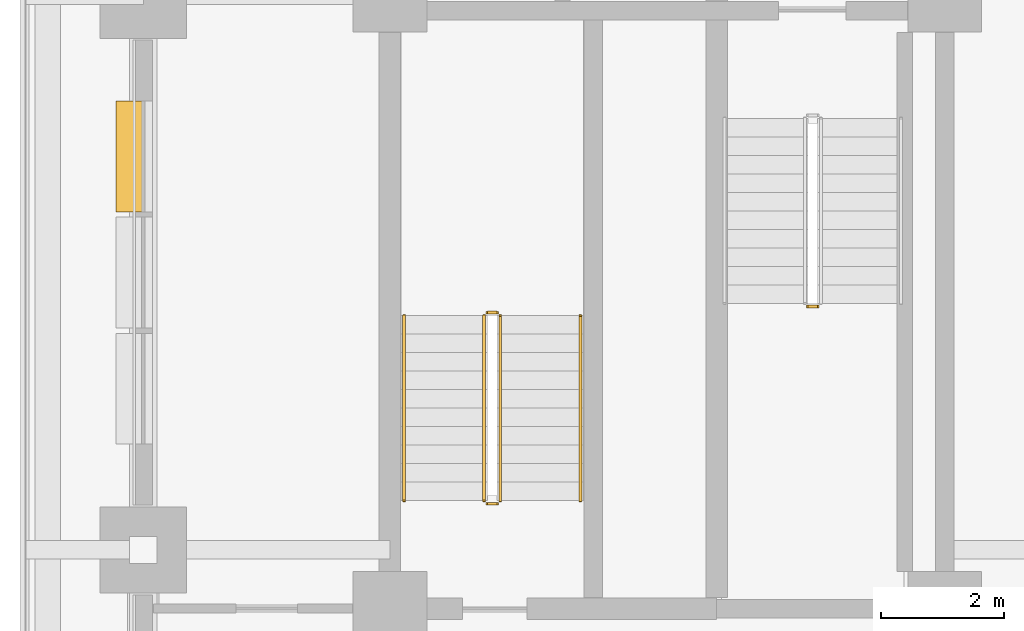
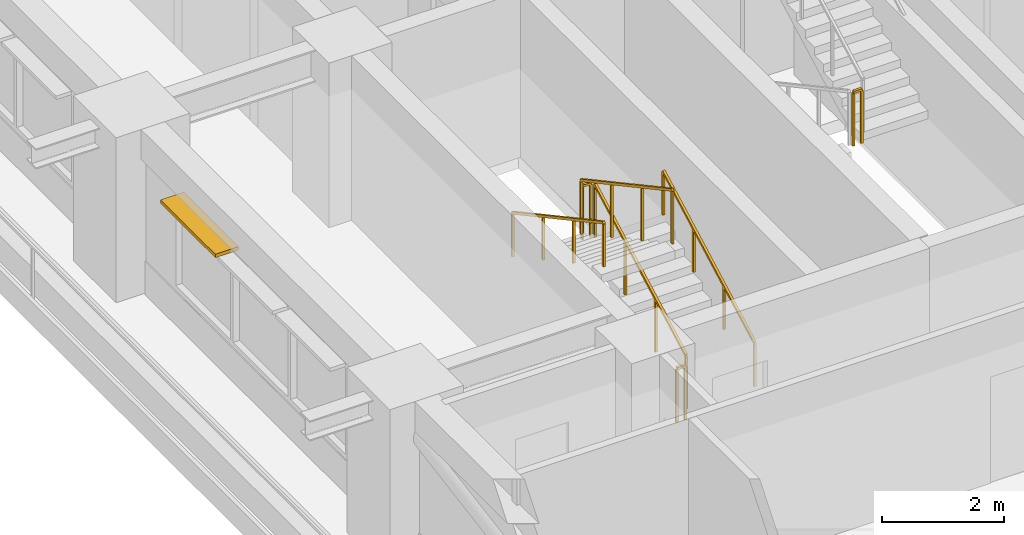
# One storey, part 8 of 14: 7 railings, 1 shading device.
"""IFC4 building model written with IfcOpenShell, lengths in metres."""

from ifc_helpers import new_model, si_unit, direction, frame, frame_2d, origin, origin_2d, place, context, subcontext, project, spatial, rectangle, extrude, material, layer, layer_set, type_object, element, save


model = new_model("IFC4")

# Units and contexts
model_context = context("Model", 3, precision=1e-05, world=origin(), true_north=direction((0.0, 1.0)))
body_context = subcontext(model_context, "Body", "Model", "MODEL_VIEW")
ifc_project = project(units=[si_unit("LENGTHUNIT", "METRE"), si_unit("AREAUNIT", "SQUARE_METRE"), si_unit("VOLUMEUNIT", "CUBIC_METRE"), si_unit("PLANEANGLEUNIT", "RADIAN"), si_unit("MASSUNIT", "GRAM", prefix="KILO")], contexts=[model_context])

# Site, building, storey
site_placement = place(None, origin())
site = spatial("IfcSite", under=ifc_project, at=site_placement, CompositionType="ELEMENT")
building_placement = place(site_placement, origin())
building = spatial("IfcBuilding", under=site, at=building_placement, Name="Zulmaris Gate Convention Tower", CompositionType="ELEMENT")
storey_placement = place(building_placement, frame((0.0, 0.0, 45.050048828125)))
storey = spatial("IfcBuildingStorey", under=building, at=storey_placement, Name="L10", CompositionType="ELEMENT", Elevation=45.050048828125)

# Railings
ifc_material_1 = material(Name="Painted Galvanised Steel", Category="steel")
railing_type_1 = type_object("IfcRailingType", Name="RL-STG-1150", PredefinedType="GUARDRAIL", material=ifc_material_1)
railing_1_placement = place(storey_placement, frame((-13.219970703125, -5.050048828125, 1.784912109375)))
element("IfcRailing", 1, at=railing_1_placement, inside=storey, type_object=railing_type_1, Name="L10 ST-1 stair guard 2", PredefinedType="GUARDRAIL", context=body_context, shape_type="SweptSolid", body=[
    extrude(rectangle(XDim=0.048095703125, YDim=0.048095703125, at=origin_2d()), frame((0.0, 0.0, 1.076171875), z_axis=(1.0, 0.0, 0.0), x_axis=(0.0, 1.0, 0.0)), (0.0, 0.0, 1.0), 0.159912109375),
    extrude(rectangle(XDim=0.0419921875, YDim=0.0419921875, at=origin_2d()), origin(), (0.0, 0.0, 1.0), 1.052001953125),
    extrude(rectangle(XDim=0.0419921875, YDim=0.0419921875, at=origin_2d()), frame((0.159912109375, 0.0, 0.0)), (0.0, 0.0, 1.0), 1.052001953125),
])
railing_2_placement = place(storey_placement, frame((-18.2099609375, -8.199951171875, 0.162109375)))
element("IfcRailing", 2, at=railing_2_placement, inside=storey, type_object=railing_type_1, Name="L10 ST-3 stair guard 1", PredefinedType="GUARDRAIL", context=body_context, shape_type="SweptSolid", body=[
    extrude(rectangle(XDim=0.048095703125, YDim=0.048095703125, at=origin_2d()), frame((0.0, 0.0, 1.076171875), z_axis=(0.0, 0.8795616155, 0.475784998228), x_axis=(-1.0, 0.0, 0.0)), (0.0, 0.0, 1.0), 3.410888671875),
    extrude(rectangle(XDim=0.0419921875, YDim=0.0419921875, at=origin_2d()), origin(), (0.0, 0.0, 1.0), 1.052001953125),
    extrude(rectangle(XDim=0.0419921875, YDim=0.0419921875, at=origin_2d()), frame((0.0, 1.0, 0.541015625)), (0.0, 0.0, 1.0), 1.052001953125),
    extrude(rectangle(XDim=0.0419921875, YDim=0.0419921875, at=origin_2d()), frame((0.0, 2.0, 1.081787109375)), (0.0, 0.0, 1.0), 1.052001953125),
    extrude(rectangle(XDim=0.0419921875, YDim=0.0419921875, at=origin_2d()), frame((0.0, 3.0, 1.622802734375)), (0.0, 0.0, 1.0), 1.052001953125),
])
railing_3_placement = place(storey_placement, frame((-18.260009765625, -5.14990234375, 1.784912109375)))
element("IfcRailing", 3, at=railing_3_placement, inside=storey, type_object=railing_type_1, Name="L10 ST-3 stair guard 2", PredefinedType="GUARDRAIL", context=body_context, shape_type="SweptSolid", body=[
    extrude(rectangle(XDim=0.048095703125, YDim=0.048095703125, at=origin_2d()), frame((0.0, 0.0, 1.076171875), z_axis=(-1.0, 0.0, 0.0), x_axis=(0.0, -1.0, 0.0)), (0.0, 0.0, 1.0), 0.159912109375),
    extrude(rectangle(XDim=0.0419921875, YDim=0.0419921875, at=origin_2d()), origin(), (0.0, 0.0, 1.0), 1.052001953125),
    extrude(rectangle(XDim=0.0419921875, YDim=0.0419921875, at=origin_2d()), frame((-0.159912109375, 0.0, 0.0)), (0.0, 0.0, 1.0), 1.052001953125),
])
railing_4_placement = place(storey_placement, frame((-18.469970703125, -5.199951171875, 1.947265625)))
element("IfcRailing", 4, at=railing_4_placement, inside=storey, type_object=railing_type_1, Name="L10 ST-3 stair guard 3", PredefinedType="GUARDRAIL", context=body_context, shape_type="SweptSolid", body=[
    extrude(rectangle(XDim=0.048095703125, YDim=0.048095703125, at=origin_2d()), frame((0.0, 0.0, 1.076171875), z_axis=(0.0, -0.8795616155, 0.475784998228), x_axis=(1.0, 0.0, 0.0)), (0.0, 0.0, 1.0), 3.410888671875),
    extrude(rectangle(XDim=0.0419921875, YDim=0.0419921875, at=origin_2d()), origin(), (0.0, 0.0, 1.0), 1.052001953125),
    extrude(rectangle(XDim=0.0419921875, YDim=0.0419921875, at=origin_2d()), frame((0.0, -1.0, 0.541015625)), (0.0, 0.0, 1.0), 1.052001953125),
    extrude(rectangle(XDim=0.0419921875, YDim=0.0419921875, at=origin_2d()), frame((0.0, -2.0, 1.081787109375)), (0.0, 0.0, 1.0), 1.052001953125),
    extrude(rectangle(XDim=0.0419921875, YDim=0.0419921875, at=origin_2d()), frame((0.0, -3.0, 1.622802734375)), (0.0, 0.0, 1.0), 1.052001953125),
])
railing_5_placement = place(storey_placement, frame((-18.260009765625, -8.25, 0.0)))
element("IfcRailing", 5, at=railing_5_placement, inside=storey, type_object=railing_type_1, Name="L10 ST-3 stair guard 4", PredefinedType="GUARDRAIL", context=body_context, shape_type="SweptSolid", body=[
    extrude(rectangle(XDim=0.048095703125, YDim=0.048095703125, at=origin_2d()), frame((0.0, 0.0, 1.076171875), z_axis=(-1.0, 0.0, 0.0), x_axis=(0.0, -1.0, 0.0)), (0.0, 0.0, 1.0), 0.159912109375),
    extrude(rectangle(XDim=0.0419921875, YDim=0.0419921875, at=origin_2d()), origin(), (0.0, 0.0, 1.0), 1.052001953125),
    extrude(rectangle(XDim=0.0419921875, YDim=0.0419921875, at=origin_2d()), frame((-0.159912109375, 0.0, 0.0)), (0.0, 0.0, 1.0), 1.052001953125),
])
ifc_material_2 = material(Name="Brushed Stainless Steel", Category="steel")
railing_type_2 = type_object("IfcRailingType", Name="RL-STH-900", PredefinedType="HANDRAIL", material=ifc_material_2)
railing_6_placement = place(storey_placement, frame((-16.909912109375, -8.199951171875, 0.162109375)))
element("IfcRailing", 6, at=railing_6_placement, inside=storey, type_object=railing_type_2, Name="L10 ST-3 stair handrail 1", PredefinedType="HANDRAIL", context=body_context, shape_type="SweptSolid", body=[
    extrude(rectangle(XDim=0.048095703125, YDim=0.048095703125, at=origin_2d()), frame((0.0, 0.0, 0.8759765625), z_axis=(0.0, 0.8795616155, 0.475784998228), x_axis=(-1.0, 0.0, 0.0)), (0.0, 0.0, 1.0), 3.410888671875),
    extrude(rectangle(XDim=0.0419921875, YDim=0.0419921875, at=origin_2d()), origin(), (0.0, 0.0, 1.0), 0.851806640625),
    extrude(rectangle(XDim=0.0419921875, YDim=0.0419921875, at=origin_2d()), frame((0.0, 1.0, 0.541015625)), (0.0, 0.0, 1.0), 0.851806640625),
    extrude(rectangle(XDim=0.0419921875, YDim=0.0419921875, at=origin_2d()), frame((0.0, 2.0, 1.081787109375)), (0.0, 0.0, 1.0), 0.851806640625),
    extrude(rectangle(XDim=0.0419921875, YDim=0.0419921875, at=origin_2d()), frame((0.0, 3.0, 1.622802734375)), (0.0, 0.0, 1.0), 0.851806640625),
])
railing_7_placement = place(storey_placement, frame((-19.77001953125, -5.199951171875, 1.947265625)))
element("IfcRailing", 7, at=railing_7_placement, inside=storey, type_object=railing_type_2, Name="L10 ST-3 stair handrail 2", PredefinedType="HANDRAIL", context=body_context, shape_type="SweptSolid", body=[
    extrude(rectangle(XDim=0.048095703125, YDim=0.048095703125, at=origin_2d()), frame((0.0, 0.0, 0.8759765625), z_axis=(0.0, -0.8795616155, 0.475784998228), x_axis=(1.0, 0.0, 0.0)), (0.0, 0.0, 1.0), 3.410888671875),
    extrude(rectangle(XDim=0.0419921875, YDim=0.0419921875, at=origin_2d()), origin(), (0.0, 0.0, 1.0), 0.851806640625),
    extrude(rectangle(XDim=0.0419921875, YDim=0.0419921875, at=origin_2d()), frame((0.0, -1.0, 0.541015625)), (0.0, 0.0, 1.0), 0.851806640625),
    extrude(rectangle(XDim=0.0419921875, YDim=0.0419921875, at=origin_2d()), frame((0.0, -2.0, 1.081787109375)), (0.0, 0.0, 1.0), 0.851806640625),
    extrude(rectangle(XDim=0.0419921875, YDim=0.0419921875, at=origin_2d()), frame((0.0, -3.0, 1.622802734375)), (0.0, 0.0, 1.0), 0.851806640625),
])

# Shading device
ifc_material_3 = material(Name="Glazed Ceramic Terracotta", Category="masonry")
ifc_layer = layer(ifc_material_3, 0.070068359375, Name="Glazed Ceramic Terracotta")
ifc_layer_set = layer_set([ifc_layer], Name="Glazed Ceramic Terracotta")
shading_device_type = type_object("IfcShadingDeviceType", Name="SHD-SUNSHADE-TC", PredefinedType="AWNING", material=ifc_layer_set)
shading_device_placement = place(storey_placement, frame((-24.219970703125, -1.715087890625, 2.530029296875), z_axis=(0.0, 0.0, 1.0), x_axis=(0.0, -1.0, 0.0)))
element("IfcShadingDevice", 8, at=shading_device_placement, inside=storey, type_object=shading_device_type, Name="SHD-EW-L10-W-1_0-1", PredefinedType="AWNING", context=body_context, shape_type="SweptSolid", body=[
    extrude(rectangle(XDim=1.7998046875, YDim=0.43994140625, at=frame_2d((0.89990234375, 0.0))), origin(), (0.0, 0.0, 1.0), 0.06982421875),
])

save(model, "model.ifc")
